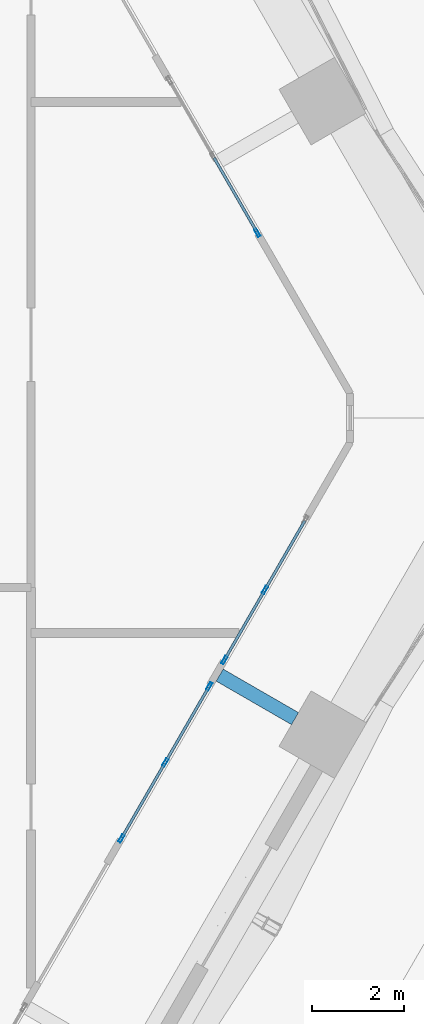
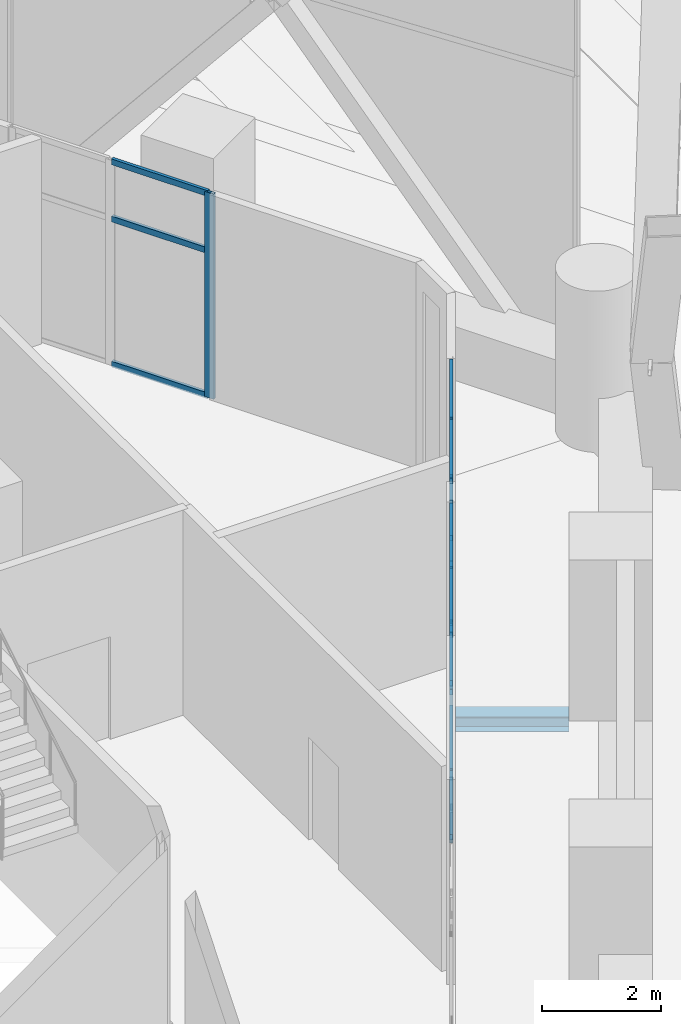
# One storey, part 32 of 71: 21 members, 1 beam, 3 elements without a shape of their own.
"""IFC4 building model written with IfcOpenShell, lengths in metres."""

import ifcopenshell
import ifcopenshell.guid

model = None  # the IFC model being written
_history = None  # IfcOwnerHistory: only IFC2X3 demands one
_inside = {}  # id of a spatial element -> (the spatial element, [elements in it])
_under = {}  # id of a project, library or spatial element -> (it, [spatial elements below it])
_declared = {}  # id of a project -> (the project, [libraries it declares])
_typed = {}  # id of a type object -> (the type object, [elements of that type])
_made_of = {}  # id of a material, layer set ... -> (it, [elements and type objects made of it])


def new_model(schema):
    """Start an empty IFC model of exactly this schema.

    Asked for "IFC4X3", IfcOpenShell would pick the latest addendum, in which some entities
    have other attributes; the version numbers below select the first issue.
    IFC2X3 requires an IfcOwnerHistory on every rooted entity: one is made here for all.
    """
    global model, _history
    if schema == "IFC4X3":
        model = ifcopenshell.file(schema_version=(4, 3, 0, 0))
    else:
        model = ifcopenshell.file(schema=schema)
    _inside.clear()
    _under.clear()
    _declared.clear()
    _typed.clear()
    _made_of.clear()
    _history = None
    if model.schema == "IFC2X3":
        org = make("IfcOrganization", Name="unknown")
        user = make(
            "IfcPersonAndOrganization",
            ThePerson=make("IfcPerson", FamilyName="unknown"),
            TheOrganization=org,
        )
        app = make(
            "IfcApplication",
            ApplicationDeveloper=org,
            Version="unknown",
            ApplicationFullName="unknown",
            ApplicationIdentifier="unknown",
        )
        _history = make(
            "IfcOwnerHistory",
            OwningUser=user,
            OwningApplication=app,
            ChangeAction="ADDED",
            CreationDate=0,
        )
    return model


def make(cls, **values):
    """One entity of the class cls with the attributes given. An attribute that is None is left unset."""
    return model.create_entity(
        cls, **{name: value for name, value in values.items() if value is not None}
    )


def rooted(cls, **values):
    """An entity with a GlobalId (a new one), such as an element, a storey or a relation."""
    return make(cls, GlobalId=ifcopenshell.guid.new(), OwnerHistory=_history, **values)


def si_unit(unit_type, name, prefix=None):
    """IfcSIUnit, for example si_unit("LENGTHUNIT", "METRE", prefix="MILLI")."""
    return make("IfcSIUnit", UnitType=unit_type, Prefix=prefix, Name=name)


def assignment(units):
    """IfcUnitAssignment: the units of a project."""
    return None if units is None else make("IfcUnitAssignment", Units=units)


def point(xyz):
    """IfcCartesianPoint."""
    return None if xyz is None else make("IfcCartesianPoint", Coordinates=xyz)


def direction(xyz):
    """IfcDirection."""
    return None if xyz is None else make("IfcDirection", DirectionRatios=xyz)


def frame(location, z_axis=None, x_axis=None):
    """IfcAxis2Placement3D, a coordinate frame: its origin and axes. An axis left out is left unset."""
    return make(
        "IfcAxis2Placement3D",
        Location=point(location),
        Axis=direction(z_axis),
        RefDirection=direction(x_axis),
    )


def frame_2d(location, x_axis=None):
    """IfcAxis2Placement2D, a coordinate frame in the plane: its origin and x axis."""
    return make(
        "IfcAxis2Placement2D", Location=point(location), RefDirection=direction(x_axis)
    )


def origin():
    """The frame at (0, 0, 0) with its axes left unset."""
    return frame((0.0, 0.0, 0.0))


def origin_2d():
    """The frame at (0, 0) in the plane with its x axis left unset."""
    return frame_2d((0.0, 0.0))


def place(relative_to, where):
    """IfcLocalPlacement: puts the frame where relative to a parent placement (None: the world)."""
    return make(
        "IfcLocalPlacement", PlacementRelTo=relative_to, RelativePlacement=where
    )


def context(
    kind, dimensions, precision=None, world=None, true_north=None, identifier=None
):
    """IfcGeometricRepresentationContext, for example the 3D "Model" context."""
    return make(
        "IfcGeometricRepresentationContext",
        ContextIdentifier=identifier,
        ContextType=kind,
        CoordinateSpaceDimension=dimensions,
        Precision=precision,
        WorldCoordinateSystem=world,
        TrueNorth=true_north,
    )


def subcontext(parent, identifier, kind, view, scale=None):
    """IfcGeometricRepresentationSubContext, for example "Body" below "Model"."""
    return make(
        "IfcGeometricRepresentationSubContext",
        ContextIdentifier=identifier,
        ContextType=kind,
        ParentContext=parent,
        TargetScale=scale,
        TargetView=view,
    )


def project(units=None, contexts=None):
    """IfcProject with its units and contexts."""
    return rooted(
        "IfcProject",
        Name="project",
        RepresentationContexts=contexts,
        UnitsInContext=assignment(units),
    )


def spatial(cls, under=None, at=None, **own):
    """A site, building, storey or space (cls), placed at a placement, below another one or the project."""
    s = rooted(cls, ObjectPlacement=at, **own)
    if under is not None:
        _under.setdefault(under.id(), (under, []))[1].append(s)
    return s


def profile(cls, at=None, kind="AREA", **sizes):
    """A parametric profile (cls). Its sizes go by their IFC names, for example OverallWidth=200.0."""
    return make(cls, ProfileType=kind, Position=at, **sizes)


def hollow_rectangle(**sizes):
    """IfcRectangleHollowProfileDef."""
    return profile("IfcRectangleHollowProfileDef", **sizes)


def i_section(**sizes):
    """IfcIShapeProfileDef."""
    return profile("IfcIShapeProfileDef", **sizes)


def extrude(swept, where, along, depth):
    """IfcExtrudedAreaSolid: the profile swept, set in the frame where, extruded along a direction by depth."""
    return make(
        "IfcExtrudedAreaSolid",
        SweptArea=swept,
        Position=where,
        ExtrudedDirection=direction(along),
        Depth=depth,
    )


def shape(context_of_items, identifier, shape_type, items):
    """IfcShapeRepresentation: the items that make up one representation, for example the "Body"."""
    return make(
        "IfcShapeRepresentation",
        ContextOfItems=context_of_items,
        RepresentationIdentifier=identifier,
        RepresentationType=shape_type,
        Items=items,
    )


def material(Name=None, Category=None):
    """IfcMaterial."""
    return make("IfcMaterial", Name=Name, Category=Category)


def material_profile(
    of_material, cross_section, Name=None, Category=None, Priority=None
):
    """IfcMaterialProfile: a cross section and its material."""
    return make(
        "IfcMaterialProfile",
        Name=Name,
        Material=of_material,
        Profile=cross_section,
        Priority=Priority,
        Category=Category,
    )


def profile_set(profiles, Name=None, composite=None):
    """IfcMaterialProfileSet."""
    return make(
        "IfcMaterialProfileSet",
        Name=Name,
        MaterialProfiles=profiles,
        CompositeProfile=composite,
    )


def made_of(thing, what):
    """Note that an element or type object is made of a material, layer set ...; save() writes the relation."""
    if what is not None:
        _made_of.setdefault(what.id(), (what, []))[1].append(thing)
    return thing


def type_object(cls, material=None, **own):
    """A type object (cls), such as IfcWallType, which elements share."""
    return made_of(rooted(cls, **own), material)


def element(
    cls,
    number,
    at=None,
    inside=None,
    cuts=None,
    type_object=None,
    material=None,
    context=None,
    identifier="Body",
    shape_type=None,
    held_by="IfcProductDefinitionShape",
    body=None,
    shapes=None,
    **own,
):
    """One element of the class cls, such as IfcWall. Its Tag is "e" and its number.

    at: its placement. inside: the storey or other place that contains it. cuts: it is an
    opening in that element (IfcRelVoidsElement). A single representation is given by context,
    identifier, shape_type and body (its items); several are given by shapes. held_by: the class
    of the entity that holds the representations. save() writes the other relations.
    """
    e = rooted(cls, Tag="e%d" % number, ObjectPlacement=at, **own)
    if body is not None:
        shapes = [shape(context, identifier, shape_type, body)]
    if shapes is not None:
        e.Representation = make(held_by, Representations=shapes)
    if inside is not None:
        _inside.setdefault(inside.id(), (inside, []))[1].append(e)
    if cuts is not None:
        rooted(
            "IfcRelVoidsElement", RelatingBuildingElement=cuts, RelatedOpeningElement=e
        )
    if type_object is not None:
        _typed.setdefault(type_object.id(), (type_object, []))[1].append(e)
    return made_of(e, material)


def aggregate(whole, parts):
    """IfcRelAggregates: a whole, such as a stair, and the parts it consists of."""
    return rooted("IfcRelAggregates", RelatingObject=whole, RelatedObjects=parts)


def save(model, path):
    """Write the relations noted so far, then the file.

    IfcRelAggregates (storeys below a building ...), IfcRelContainedInSpatialStructure (elements
    in a storey), IfcRelDefinesByType, IfcRelAssociatesMaterial and IfcRelDeclares: one each for
    every whole, place, type object, material and project.
    """
    for whole, parts in _under.values():
        aggregate(whole, parts)
    for where, things in _inside.values():
        rooted(
            "IfcRelContainedInSpatialStructure",
            RelatedElements=things,
            RelatingStructure=where,
        )
    for kind, things in _typed.values():
        rooted("IfcRelDefinesByType", RelatedObjects=things, RelatingType=kind)
    for what, things in _made_of.values():
        rooted("IfcRelAssociatesMaterial", RelatedObjects=things, RelatingMaterial=what)
    for by, libraries in _declared.values():
        rooted("IfcRelDeclares", RelatingContext=by, RelatedDefinitions=libraries)
    model.write(path)


model = new_model("IFC4")

# Units and contexts
model_context = context("Model", 3, precision=1e-05, world=origin(), true_north=direction((0.0, 1.0)))
body_context = subcontext(model_context, "Body", "Model", "MODEL_VIEW")
ifc_project = project(units=[si_unit("LENGTHUNIT", "METRE"), si_unit("AREAUNIT", "SQUARE_METRE"), si_unit("VOLUMEUNIT", "CUBIC_METRE"), si_unit("PLANEANGLEUNIT", "RADIAN"), si_unit("MASSUNIT", "GRAM", prefix="KILO")], contexts=[model_context])

# Site, building, storey
site_placement = place(None, origin())
site = spatial("IfcSite", under=ifc_project, at=site_placement, CompositionType="ELEMENT")
building_placement = place(site_placement, origin())
building = spatial("IfcBuilding", under=site, at=building_placement, Name="Ostrander Bayou Hotel Tower", CompositionType="ELEMENT")
storey_placement = place(building_placement, frame((0.0, 0.0, 10.0)))
storey = spatial("IfcBuildingStorey", under=building, at=storey_placement, Name="L02", CompositionType="ELEMENT", Elevation=10.0)

# Curtain wall, members
ifc_material_1 = material(Name="Aluminium and clear glass", Category="aluminium")
curtain_wall_type = type_object("IfcCurtainWallType", Name="CW-SKY amenity glass wall", PredefinedType="NOTDEFINED", material=ifc_material_1)
curtain_wall_1_placement = place(storey_placement, origin())
curtain_wall_1 = element("IfcCurtainWall", 1, at=curtain_wall_1_placement, inside=storey, type_object=curtain_wall_type, Name="CW-SKY L02 SE 3", PredefinedType="NOTDEFINED")
ifc_material_2 = material(Name="Aluminium", Category="aluminium")
ifc_material_profile_1 = material_profile(ifc_material_2, hollow_rectangle(XDim=0.06005859375, YDim=0.179931640625, WallThickness=0.00390625, at=origin_2d()))
ifc_profile_set_1 = profile_set([ifc_material_profile_1], Name="Aluminium")
member_type_1 = type_object("IfcMemberType", Name="CW-SK mullion 60 x 180 mm", PredefinedType="MULLION", material=ifc_profile_set_1)
member_1_placement = place(storey_placement, frame((15.971435546875, -9.1865234375, 0.0), z_axis=(0.0, 0.0, 1.0), x_axis=(-0.866025463091, 0.499999897278, 0.0)))
member_1 = element("IfcMember", 2, at=member_1_placement, type_object=member_type_1, Name="CW-SKY mullion 1", PredefinedType="MULLION", context=body_context, shape_type="SweptSolid", body=[
    extrude(hollow_rectangle(XDim=0.06005859375, YDim=0.179931640625, WallThickness=0.00390625, at=origin_2d()), origin(), (0.0, 0.0, 1.0), 4.199951171875),
])
member_2_placement = place(storey_placement, frame((16.931396484375, -7.523681640625, 0.0), z_axis=(0.0, 0.0, 1.0), x_axis=(-0.866025463091, 0.499999897278, 0.0)))
member_2 = element("IfcMember", 3, at=member_2_placement, type_object=member_type_1, Name="CW-SKY mullion 2", PredefinedType="MULLION", context=body_context, shape_type="SweptSolid", body=[
    extrude(hollow_rectangle(XDim=0.06005859375, YDim=0.179931640625, WallThickness=0.00390625, at=origin_2d()), origin(), (0.0, 0.0, 1.0), 4.199951171875),
])
member_3_placement = place(storey_placement, frame((17.8916015625, -5.861083984375, 0.0), z_axis=(0.0, 0.0, 1.0), x_axis=(-0.866025463091, 0.499999897278, 0.0)))
member_3 = element("IfcMember", 4, at=member_3_placement, type_object=member_type_1, Name="CW-SKY mullion 3", PredefinedType="MULLION", context=body_context, shape_type="SweptSolid", body=[
    extrude(hollow_rectangle(XDim=0.06005859375, YDim=0.179931640625, WallThickness=0.00390625, at=origin_2d()), origin(), (0.0, 0.0, 1.0), 4.199951171875),
])

curtain_wall_2_placement = place(storey_placement, origin())
curtain_wall_2 = element("IfcCurtainWall", 5, at=curtain_wall_2_placement, inside=storey, type_object=curtain_wall_type, Name="CW-SKY L02 SE 4", PredefinedType="NOTDEFINED")
member_4_placement = place(storey_placement, frame((18.221435546875, -5.289306640625, 0.0), z_axis=(0.0, 0.0, 1.0), x_axis=(-0.866025997283, 0.499998972029, 0.0)))
member_4 = element("IfcMember", 6, at=member_4_placement, type_object=member_type_1, Name="CW-SKY mullion 1", PredefinedType="MULLION", context=body_context, shape_type="SweptSolid", body=[
    extrude(hollow_rectangle(XDim=0.06005859375, YDim=0.179931640625, WallThickness=0.00390625, at=origin_2d()), origin(), (0.0, 0.0, 1.0), 4.199951171875),
])
member_5_placement = place(storey_placement, frame((19.1064453125, -3.756591796875, 0.0), z_axis=(0.0, 0.0, 1.0), x_axis=(-0.866025997283, 0.499998972029, 0.0)))
member_5 = element("IfcMember", 7, at=member_5_placement, type_object=member_type_1, Name="CW-SKY mullion 2", PredefinedType="MULLION", context=body_context, shape_type="SweptSolid", body=[
    extrude(hollow_rectangle(XDim=0.06005859375, YDim=0.179931640625, WallThickness=0.00390625, at=origin_2d()), origin(), (0.0, 0.0, 1.0), 4.199951171875),
])

# Curtain wall, member
curtain_wall_3_placement = place(storey_placement, origin())
curtain_wall_3 = element("IfcCurtainWall", 8, at=curtain_wall_3_placement, inside=storey, type_object=curtain_wall_type, Name="CW-SKY L02 NE 2", PredefinedType="NOTDEFINED")
member_6_placement = place(storey_placement, frame((18.94140625, 4.042236328125, 0.0), z_axis=(0.0, 0.0, 1.0), x_axis=(-0.866025463091, -0.499999897278, 0.0)))
member_6 = element("IfcMember", 9, at=member_6_placement, type_object=member_type_1, Name="CW-SKY mullion 1", PredefinedType="MULLION", context=body_context, shape_type="SweptSolid", body=[
    extrude(hollow_rectangle(XDim=0.06005859375, YDim=0.179931640625, WallThickness=0.00390625, at=origin_2d()), origin(), (0.0, 0.0, 1.0), 4.199951171875),
])

# Member
ifc_material_3 = material(Name="Aluminium", Category="aluminium")
ifc_material_profile_2 = material_profile(ifc_material_3, hollow_rectangle(XDim=0.06005859375, YDim=0.1201171875, WallThickness=0.00390625, at=origin_2d()))
ifc_profile_set_2 = profile_set([ifc_material_profile_2], Name="Aluminium")
member_type_2 = type_object("IfcMemberType", Name="CW-SK transom 60 x 120 mm", PredefinedType="USERDEFINED", material=ifc_profile_set_2)
member_7_placement = place(storey_placement, frame((15.986572265625, -9.16064453125, 0.030029296875), z_axis=(0.499964847546, 0.866045698112, 0.0), x_axis=(-0.866045698112, 0.499964847546, 0.0)))
member_7 = element("IfcMember", 10, at=member_7_placement, type_object=member_type_2, Name="CW-SKY transom 1.1", ObjectType="TRANSOM", PredefinedType="USERDEFINED", context=body_context, shape_type="SweptSolid", body=[
    extrude(hollow_rectangle(XDim=0.06005859375, YDim=0.1201171875, WallThickness=0.00390625, at=origin_2d()), origin(), (0.0, 0.0, 1.0), 1.860107421875),
])

member_8_placement = place(storey_placement, frame((15.986572265625, -9.16064453125, 3.0), z_axis=(0.499964847546, 0.866045698112, 0.0), x_axis=(-0.866045698112, 0.499964847546, 0.0)))
member_8 = element("IfcMember", 11, at=member_8_placement, type_object=member_type_2, Name="CW-SKY transom 1.2", ObjectType="TRANSOM", PredefinedType="USERDEFINED", context=body_context, shape_type="SweptSolid", body=[
    extrude(hollow_rectangle(XDim=0.06005859375, YDim=0.1201171875, WallThickness=0.00390625, at=origin_2d()), origin(), (0.0, 0.0, 1.0), 1.860107421875),
])

member_9_placement = place(storey_placement, frame((15.986572265625, -9.16064453125, 4.169921875), z_axis=(0.499964847546, 0.866045698112, 0.0), x_axis=(-0.866045698112, 0.499964847546, 0.0)))
member_9 = element("IfcMember", 12, at=member_9_placement, type_object=member_type_2, Name="CW-SKY transom 1.3", ObjectType="TRANSOM", PredefinedType="USERDEFINED", context=body_context, shape_type="SweptSolid", body=[
    extrude(hollow_rectangle(XDim=0.06005859375, YDim=0.1201171875, WallThickness=0.00390625, at=origin_2d()), origin(), (0.0, 0.0, 1.0), 1.860107421875),
])

member_10_placement = place(storey_placement, frame((16.946533203125, -7.497802734375, 0.030029296875), z_axis=(0.499964847546, 0.866045698112, 0.0), x_axis=(-0.866045698112, 0.499964847546, 0.0)))
member_10 = element("IfcMember", 13, at=member_10_placement, type_object=member_type_2, Name="CW-SKY transom 2.1", ObjectType="TRANSOM", PredefinedType="USERDEFINED", context=body_context, shape_type="SweptSolid", body=[
    extrude(hollow_rectangle(XDim=0.06005859375, YDim=0.1201171875, WallThickness=0.00390625, at=origin_2d()), origin(), (0.0, 0.0, 1.0), 1.860107421875),
])

member_11_placement = place(storey_placement, frame((16.946533203125, -7.497802734375, 3.0), z_axis=(0.499964847546, 0.866045698112, 0.0), x_axis=(-0.866045698112, 0.499964847546, 0.0)))
member_11 = element("IfcMember", 14, at=member_11_placement, type_object=member_type_2, Name="CW-SKY transom 2.2", ObjectType="TRANSOM", PredefinedType="USERDEFINED", context=body_context, shape_type="SweptSolid", body=[
    extrude(hollow_rectangle(XDim=0.06005859375, YDim=0.1201171875, WallThickness=0.00390625, at=origin_2d()), origin(), (0.0, 0.0, 1.0), 1.860107421875),
])

member_12_placement = place(storey_placement, frame((16.946533203125, -7.497802734375, 4.169921875), z_axis=(0.499964847546, 0.866045698112, 0.0), x_axis=(-0.866045698112, 0.499964847546, 0.0)))
member_12 = element("IfcMember", 15, at=member_12_placement, type_object=member_type_2, Name="CW-SKY transom 2.3", ObjectType="TRANSOM", PredefinedType="USERDEFINED", context=body_context, shape_type="SweptSolid", body=[
    extrude(hollow_rectangle(XDim=0.06005859375, YDim=0.1201171875, WallThickness=0.00390625, at=origin_2d()), origin(), (0.0, 0.0, 1.0), 1.860107421875),
])

aggregate(curtain_wall_1, [member_1, member_2, member_3, member_7, member_8, member_9, member_10, member_11, member_12])

member_13_placement = place(storey_placement, frame((18.236572265625, -5.263427734375, 0.030029296875), z_axis=(0.499977863513, 0.866038183914, 0.0), x_axis=(-0.866038183914, 0.499977863513, 0.0)))
member_13 = element("IfcMember", 16, at=member_13_placement, type_object=member_type_2, Name="CW-SKY transom 1.1", ObjectType="TRANSOM", PredefinedType="USERDEFINED", context=body_context, shape_type="SweptSolid", body=[
    extrude(hollow_rectangle(XDim=0.06005859375, YDim=0.1201171875, WallThickness=0.00390625, at=origin_2d()), origin(), (0.0, 0.0, 1.0), 1.7099609375),
])

member_14_placement = place(storey_placement, frame((18.236572265625, -5.263427734375, 3.0), z_axis=(0.499977863513, 0.866038183914, 0.0), x_axis=(-0.866038183914, 0.499977863513, 0.0)))
member_14 = element("IfcMember", 17, at=member_14_placement, type_object=member_type_2, Name="CW-SKY transom 1.2", ObjectType="TRANSOM", PredefinedType="USERDEFINED", context=body_context, shape_type="SweptSolid", body=[
    extrude(hollow_rectangle(XDim=0.06005859375, YDim=0.1201171875, WallThickness=0.00390625, at=origin_2d()), origin(), (0.0, 0.0, 1.0), 1.7099609375),
])

member_15_placement = place(storey_placement, frame((18.236572265625, -5.263427734375, 4.169921875), z_axis=(0.499977863513, 0.866038183914, 0.0), x_axis=(-0.866038183914, 0.499977863513, 0.0)))
member_15 = element("IfcMember", 18, at=member_15_placement, type_object=member_type_2, Name="CW-SKY transom 1.3", ObjectType="TRANSOM", PredefinedType="USERDEFINED", context=body_context, shape_type="SweptSolid", body=[
    extrude(hollow_rectangle(XDim=0.06005859375, YDim=0.1201171875, WallThickness=0.00390625, at=origin_2d()), origin(), (0.0, 0.0, 1.0), 1.7099609375),
])

member_16_placement = place(storey_placement, frame((19.12158203125, -3.73046875, 0.030029296875), z_axis=(0.500039688951, 0.866002488145, 0.0), x_axis=(-0.866002488145, 0.500039688951, 0.0)))
member_16 = element("IfcMember", 19, at=member_16_placement, type_object=member_type_2, Name="CW-SKY transom 2.1", ObjectType="TRANSOM", PredefinedType="USERDEFINED", context=body_context, shape_type="SweptSolid", body=[
    extrude(hollow_rectangle(XDim=0.06005859375, YDim=0.1201171875, WallThickness=0.00390625, at=origin_2d()), origin(), (0.0, 0.0, 1.0), 1.709716796875),
])

member_17_placement = place(storey_placement, frame((19.12158203125, -3.73046875, 3.0), z_axis=(0.500039688951, 0.866002488145, 0.0), x_axis=(-0.866002488145, 0.500039688951, 0.0)))
member_17 = element("IfcMember", 20, at=member_17_placement, type_object=member_type_2, Name="CW-SKY transom 2.2", ObjectType="TRANSOM", PredefinedType="USERDEFINED", context=body_context, shape_type="SweptSolid", body=[
    extrude(hollow_rectangle(XDim=0.06005859375, YDim=0.1201171875, WallThickness=0.00390625, at=origin_2d()), origin(), (0.0, 0.0, 1.0), 1.709716796875),
])

member_18_placement = place(storey_placement, frame((19.12158203125, -3.73046875, 4.169921875), z_axis=(0.500039688951, 0.866002488145, 0.0), x_axis=(-0.866002488145, 0.500039688951, 0.0)))
member_18 = element("IfcMember", 21, at=member_18_placement, type_object=member_type_2, Name="CW-SKY transom 2.3", ObjectType="TRANSOM", PredefinedType="USERDEFINED", context=body_context, shape_type="SweptSolid", body=[
    extrude(hollow_rectangle(XDim=0.06005859375, YDim=0.1201171875, WallThickness=0.00390625, at=origin_2d()), origin(), (0.0, 0.0, 1.0), 1.709716796875),
])

aggregate(curtain_wall_2, [member_4, member_5, member_13, member_14, member_15, member_16, member_17, member_18])

member_19_placement = place(storey_placement, frame((18.926513671875, 4.068359375, 0.030029296875), z_axis=(-0.500021687003, 0.866012882425, 0.0), x_axis=(-0.866012882425, -0.500021687003, 0.0)))
member_19 = element("IfcMember", 22, at=member_19_placement, type_object=member_type_2, Name="CW-SKY transom 1.1", ObjectType="TRANSOM", PredefinedType="USERDEFINED", context=body_context, shape_type="SweptSolid", body=[
    extrude(hollow_rectangle(XDim=0.06005859375, YDim=0.1201171875, WallThickness=0.00390625, at=origin_2d()), origin(), (0.0, 0.0, 1.0), 1.85986328125),
])

member_20_placement = place(storey_placement, frame((18.926513671875, 4.068359375, 3.0), z_axis=(-0.500021687003, 0.866012882425, 0.0), x_axis=(-0.866012882425, -0.500021687003, 0.0)))
member_20 = element("IfcMember", 23, at=member_20_placement, type_object=member_type_2, Name="CW-SKY transom 1.2", ObjectType="TRANSOM", PredefinedType="USERDEFINED", context=body_context, shape_type="SweptSolid", body=[
    extrude(hollow_rectangle(XDim=0.06005859375, YDim=0.1201171875, WallThickness=0.00390625, at=origin_2d()), origin(), (0.0, 0.0, 1.0), 1.85986328125),
])

member_21_placement = place(storey_placement, frame((18.926513671875, 4.068359375, 4.169921875), z_axis=(-0.500021687003, 0.866012882425, 0.0), x_axis=(-0.866012882425, -0.500021687003, 0.0)))
member_21 = element("IfcMember", 24, at=member_21_placement, type_object=member_type_2, Name="CW-SKY transom 1.3", ObjectType="TRANSOM", PredefinedType="USERDEFINED", context=body_context, shape_type="SweptSolid", body=[
    extrude(hollow_rectangle(XDim=0.06005859375, YDim=0.1201171875, WallThickness=0.00390625, at=origin_2d()), origin(), (0.0, 0.0, 1.0), 1.85986328125),
])

aggregate(curtain_wall_3, [member_6, member_19, member_20, member_21])

# Beam
ifc_material_4 = material(Name="Steel ASTM A992", Category="steel")
ifc_material_profile_3 = material_profile(ifc_material_4, i_section(OverallWidth=0.3046875, OverallDepth=0.307861328125, WebThickness=0.010009765625, FlangeThickness=0.015380859375, at=origin_2d()))
ifc_profile_set_3 = profile_set([ifc_material_profile_3], Name="Steel ASTM A992")
beam_type = type_object("IfcBeamType", Name="LB1 loggia bracket W12x65", PredefinedType="BEAM", material=ifc_profile_set_3)
beam_placement = place(storey_placement, frame((19.7646484375, -6.566650390625, -0.453857421875), z_axis=(-0.866044365799, 0.499967155389, 0.0), x_axis=(-0.499967155389, -0.866044365799, 0.0)))
element("IfcBeam", 25, at=beam_placement, inside=storey, type_object=beam_type, Name="LB1 L02 SE2", PredefinedType="BEAM", context=body_context, shape_type="SweptSolid", body=[
    extrude(i_section(OverallWidth=0.3046875, OverallDepth=0.307861328125, WebThickness=0.010009765625, FlangeThickness=0.015380859375, at=origin_2d()), origin(), (0.0, 0.0, 1.0), 1.900146484375),
])

save(model, "model.ifc")
